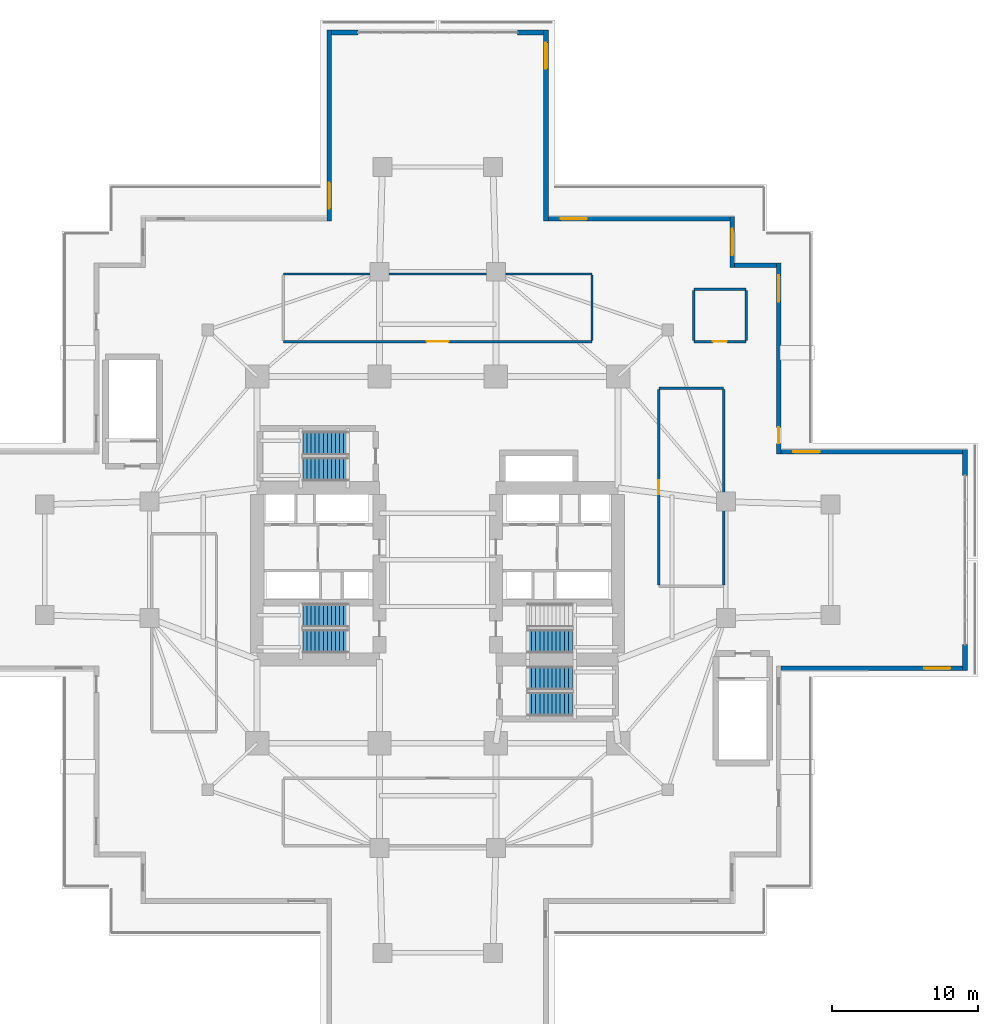
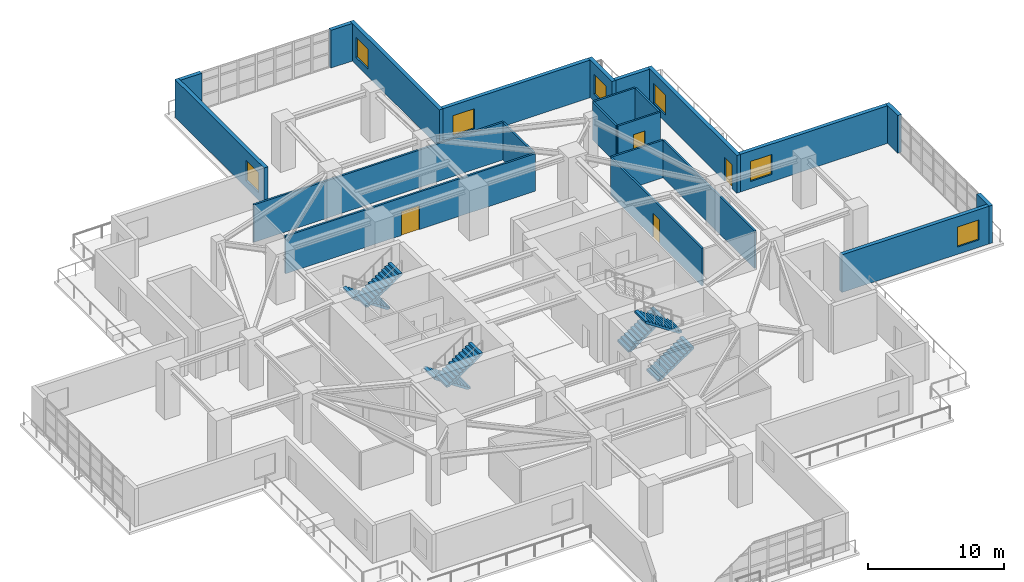
# One storey, part 17 of 24: 22 walls, 7 stair flights, 7 windows, 4 doors, 11 openings, 4 elements without a shape of their own.
"""IFC4 building model written with IfcOpenShell, lengths in metres."""

from ifc_helpers import new_model, si_unit, direction, frame, frame_2d, origin, place, context, subcontext, project, spatial, polyline, rectangle, outline, extrude, material, layer, layer_set, type_object, element, fill, aggregate, save


model = new_model("IFC4")

# Units and contexts
model_context = context("Model", 3, precision=1e-05, world=origin(), true_north=direction((0.0, 1.0)))
body_context = subcontext(model_context, "Body", "Model", "MODEL_VIEW")
ifc_project = project(units=[si_unit("LENGTHUNIT", "METRE"), si_unit("AREAUNIT", "SQUARE_METRE"), si_unit("VOLUMEUNIT", "CUBIC_METRE"), si_unit("PLANEANGLEUNIT", "RADIAN"), si_unit("MASSUNIT", "GRAM", prefix="KILO")], contexts=[model_context])

# Site, building, storey
site_placement = place(None, origin())
site = spatial("IfcSite", under=ifc_project, at=site_placement, CompositionType="ELEMENT")
building_placement = place(site_placement, origin())
building = spatial("IfcBuilding", under=site, at=building_placement, Name="Qingluan Cross Belvedere", CompositionType="ELEMENT")
storey_placement = place(building_placement, frame((0.0, 0.0, 19.199951171875)))
storey = spatial("IfcBuildingStorey", under=building, at=storey_placement, Name="L05", CompositionType="ELEMENT", Elevation=19.199951171875)

# Wall, opening, door
ifc_material_1 = material(Name="Gypsum plasterboard on steel stud acoustic partition", Category="steel")
ifc_layer_1 = layer(ifc_material_1, 0.159912109375, Name="CorridorPartition_160")
ifc_layer_set_1 = layer_set([ifc_layer_1], Name="Gypsum plasterboard on steel stud acoustic partition")
wall_type_1 = type_object("IfcWallType", Name="CorridorPartition_160", PredefinedType="PARTITIONING", material=ifc_layer_set_1)
wall_1_placement = place(storey_placement, frame((-10.60009765625, 15.0, 0.0), z_axis=(0.0, 0.0, 1.0), x_axis=(1.0, 0.0, 0.0)))
wall_1 = element("IfcWall", 1, at=wall_1_placement, inside=storey, type_object=wall_type_1, Name="Partition L05:pod_n:S", PredefinedType="PARTITIONING", context=body_context, shape_type="SweptSolid", body=[
    extrude(rectangle(XDim=21.2001953125, YDim=0.159912109375, at=frame_2d((10.60009765625, 0.0))), origin(), (0.0, 0.0, 1.0), 3.3701171875),
])
opening_1_placement = place(wall_1_placement, frame((9.85009765625, 0.0, 0.0)))
opening_1 = element("IfcOpeningElement", 2, at=opening_1_placement, cuts=wall_1, Name="Opening FD-A15", PredefinedType="OPENING", context=body_context, shape_type="SweptSolid", body=[
    extrude(rectangle(XDim=1.5, YDim=2.14990234375, at=frame_2d((0.75, 1.074951171875))), frame((0.0, 0.08984375, 0.0), z_axis=(0.0, -1.0, 0.0), x_axis=(1.0, 0.0, 0.0)), (0.0, 0.0, 1.0), 0.179931640625),
])
ifc_material_2 = material(Name="Insulated steel Class A double fire door", Category="steel")
door_type_1 = type_object("IfcDoorType", Name="PlantDoubleFireDoor_FDA", OperationType="DOUBLE_DOOR_SINGLE_SWING", PredefinedType="DOOR", material=ifc_material_2)
door_1_placement = place(opening_1_placement, origin())
door_1 = element("IfcDoor", 3, at=door_1_placement, inside=storey, type_object=door_type_1, Name="Hotel fitness gymnasium North L05 door", OperationType="DOUBLE_DOOR_SINGLE_SWING", OverallHeight=2.14990234375, OverallWidth=1.5, PredefinedType="DOOR", context=body_context, shape_type="SweptSolid", body=[
    extrude(rectangle(XDim=1.5, YDim=2.14990234375, at=frame_2d((0.75, 1.074951171875))), frame((0.0, 0.02490234375, 0.0), z_axis=(0.0, -1.0, 0.0), x_axis=(1.0, 0.0, 0.0)), (0.0, 0.0, 1.0), 0.050048828125),
])
fill(opening_1, door_1)

# Walls
wall_2_placement = place(storey_placement, frame((-10.60009765625, 19.64990234375, 0.0), z_axis=(0.0, 0.0, 1.0), x_axis=(1.0, 0.0, 0.0)))
element("IfcWall", 4, at=wall_2_placement, inside=storey, type_object=wall_type_1, Name="Partition L05:pod_n:N", PredefinedType="PARTITIONING", context=body_context, shape_type="SweptSolid", body=[
    extrude(rectangle(XDim=21.2001953125, YDim=0.159912109375, at=frame_2d((10.60009765625, 0.0))), origin(), (0.0, 0.0, 1.0), 3.3701171875),
])
wall_3_placement = place(storey_placement, frame((10.60009765625, 15.0849609375, 0.0), z_axis=(0.0, 0.0, 1.0), x_axis=(0.0, 1.0, 0.0)))
element("IfcWall", 5, at=wall_3_placement, inside=storey, type_object=wall_type_1, Name="Partition L05:pod_n:E", PredefinedType="PARTITIONING", context=body_context, shape_type="SweptSolid", body=[
    extrude(rectangle(XDim=4.47998046875, YDim=0.159912109375, at=frame_2d((2.239990234375, 0.0))), origin(), (0.0, 0.0, 1.0), 3.3701171875),
])
wall_4_placement = place(storey_placement, frame((15.199951171875, 11.800048828125, 0.0), z_axis=(0.0, 0.0, 1.0), x_axis=(1.0, 0.0, 0.0)))
element("IfcWall", 6, at=wall_4_placement, inside=storey, type_object=wall_type_1, Name="Partition L05:pod_e:N", PredefinedType="PARTITIONING", context=body_context, shape_type="SweptSolid", body=[
    extrude(rectangle(XDim=4.449951171875, YDim=0.159912109375, at=frame_2d((2.22509765625, 0.0))), origin(), (0.0, 0.0, 1.0), 3.3701171875),
])

# Wall, opening, door
wall_5_placement = place(storey_placement, frame((15.199951171875, -1.715087890625, 0.0), z_axis=(0.0, 0.0, 1.0), x_axis=(0.0, 1.0, 0.0)))
wall_5 = element("IfcWall", 7, at=wall_5_placement, inside=storey, type_object=wall_type_1, Name="Partition L05:pod_e:W", PredefinedType="PARTITIONING", context=body_context, shape_type="SweptSolid", body=[
    extrude(rectangle(XDim=13.43017578125, YDim=0.159912109375, at=frame_2d((6.715087890625, 0.0))), origin(), (0.0, 0.0, 1.0), 3.3701171875),
])
opening_2_placement = place(wall_5_placement, frame((6.235107421875, 0.0, 0.0)))
opening_2 = element("IfcOpeningElement", 8, at=opening_2_placement, cuts=wall_5, Name="Opening GD-10", PredefinedType="OPENING", context=body_context, shape_type="SweptSolid", body=[
    extrude(rectangle(XDim=0.9599609375, YDim=2.14990234375, at=frame_2d((0.47998046875, 1.074951171875))), frame((0.0, 0.08984375, 0.0), z_axis=(0.0, -1.0, 0.0), x_axis=(1.0, 0.0, 0.0)), (0.0, 0.0, 1.0), 0.179931640625),
])
ifc_material_3 = material(Name="Timber oak fire-rated acoustic guestroom door", Category="wood")
door_type_2 = type_object("IfcDoorType", Name="GuestEntryDoor_FD60", OperationType="NOTDEFINED", PredefinedType="DOOR", material=ifc_material_3)
door_2_placement = place(opening_2_placement, origin())
door_2 = element("IfcDoor", 9, at=door_2_placement, inside=storey, type_object=door_type_2, Name="Yoga and movement studio East L05 door", OperationType="SINGLE_SWING_RIGHT", OverallHeight=2.14990234375, OverallWidth=0.9599609375, PredefinedType="DOOR", context=body_context, shape_type="SweptSolid", body=[
    extrude(rectangle(XDim=0.9599609375, YDim=2.14990234375, at=frame_2d((0.47998046875, 1.074951171875))), frame((0.0, 0.02490234375, 0.0), z_axis=(0.0, -1.0, 0.0), x_axis=(1.0, 0.0, 0.0)), (0.0, 0.0, 1.0), 0.050048828125),
])
fill(opening_2, door_2)

# Wall
wall_6_placement = place(storey_placement, frame((19.64990234375, -1.715087890625, 0.0), z_axis=(0.0, 0.0, 1.0), x_axis=(0.0, 1.0, 0.0)))
element("IfcWall", 10, at=wall_6_placement, inside=storey, type_object=wall_type_1, Name="Partition L05:pod_e:E", PredefinedType="PARTITIONING", context=body_context, shape_type="SweptSolid", body=[
    extrude(rectangle(XDim=13.43017578125, YDim=0.159912109375, at=frame_2d((6.715087890625, 0.0))), origin(), (0.0, 0.0, 1.0), 3.3701171875),
])

# Wall, opening, door
wall_7_placement = place(storey_placement, frame((17.60009765625, 15.0, 0.0), z_axis=(0.0, 0.0, 1.0), x_axis=(1.0, 0.0, 0.0)))
wall_7 = element("IfcWall", 11, at=wall_7_placement, inside=storey, type_object=wall_type_1, Name="Partition L05:pod_wc:S", PredefinedType="PARTITIONING", context=body_context, shape_type="SweptSolid", body=[
    extrude(rectangle(XDim=3.599853515625, YDim=0.159912109375, at=frame_2d((1.7998046875, 0.0))), origin(), (0.0, 0.0, 1.0), 3.3701171875),
])
opening_3_placement = place(wall_7_placement, frame((1.320068359375, 0.0, 0.0)))
opening_3 = element("IfcOpeningElement", 12, at=opening_3_placement, cuts=wall_7, Name="Opening GD-10", PredefinedType="OPENING", context=body_context, shape_type="SweptSolid", body=[
    extrude(rectangle(XDim=0.9599609375, YDim=2.14990234375, at=frame_2d((0.47998046875, 1.074951171875))), frame((0.0, 0.08984375, 0.0), z_axis=(0.0, -1.0, 0.0), x_axis=(1.0, 0.0, 0.0)), (0.0, 0.0, 1.0), 0.179931640625),
])
door_3_placement = place(opening_3_placement, origin())
door_3 = element("IfcDoor", 13, at=door_3_placement, inside=storey, type_object=door_type_2, Name="Public washrooms L05 door", OperationType="SINGLE_SWING_RIGHT", OverallHeight=2.14990234375, OverallWidth=0.9599609375, PredefinedType="DOOR", context=body_context, shape_type="SweptSolid", body=[
    extrude(rectangle(XDim=0.9599609375, YDim=2.14990234375, at=frame_2d((0.47998046875, 1.074951171875))), frame((0.0, 0.02490234375, 0.0), z_axis=(0.0, -1.0, 0.0), x_axis=(1.0, 0.0, 0.0)), (0.0, 0.0, 1.0), 0.050048828125),
])
fill(opening_3, door_3)

# Walls
wall_8_placement = place(storey_placement, frame((17.60009765625, 18.60009765625, 0.0), z_axis=(0.0, 0.0, 1.0), x_axis=(1.0, 0.0, 0.0)))
element("IfcWall", 14, at=wall_8_placement, inside=storey, type_object=wall_type_1, Name="Partition L05:pod_wc:N", PredefinedType="PARTITIONING", context=body_context, shape_type="SweptSolid", body=[
    extrude(rectangle(XDim=3.599853515625, YDim=0.159912109375, at=frame_2d((1.7998046875, 0.0))), origin(), (0.0, 0.0, 1.0), 3.3701171875),
])
for number, where, z_axis, x_axis, name in (
    (15, (17.60009765625, 15.0849609375, 0.0), (0.0, 0.0, 1.0), (0.0, 1.0, 0.0), "Partition L05:pod_wc:W"),
    (16, (21.199951171875, 15.0849609375, 0.0), (0.0, 0.0, 1.0), (0.0, 1.0, 0.0), "Partition L05:pod_wc:E"),
):
    element("IfcWall", number, at=place(storey_placement, frame(where, z_axis=z_axis, x_axis=x_axis)), inside=storey, type_object=wall_type_1, Name=name, PredefinedType="PARTITIONING", context=body_context, shape_type="SweptSolid", body=[
        extrude(rectangle(XDim=3.429931640625, YDim=0.159912109375, at=frame_2d((1.71484375, 0.0))), origin(), (0.0, 0.0, 1.0), 3.3701171875),
    ])

# Wall, opening, window
ifc_material_4 = material(Name="Precast concrete C45", Category="concrete")
ifc_layer_2 = layer(ifc_material_4, 0.320068359375, Name="PrecastPodiumWall_320")
ifc_layer_set_2 = layer_set([ifc_layer_2], Name="Precast concrete C45")
wall_type_2 = type_object("IfcWallType", Name="PrecastPodiumWall_320", PredefinedType="STANDARD", material=ifc_layer_set_2)
wall_9_placement = place(storey_placement, frame((-7.43994140625, 23.280029296875, 0.0), z_axis=(0.0, 0.0, 1.0), x_axis=(0.0, 1.0, 0.0)))
wall_9 = element("IfcWall", 17, at=wall_9_placement, inside=storey, type_object=wall_type_2, Name="Podium precast facade wall L05-S18", PredefinedType="STANDARD", context=body_context, shape_type="SweptSolid", body=[
    extrude(rectangle(XDim=13.119873046875, YDim=0.320068359375, at=frame_2d((6.56005859375, 0.0))), origin(), (0.0, 0.0, 1.0), 3.380126953125),
])
opening_4_placement = place(wall_9_placement, frame((0.85009765625, 0.0, 0.64990234375)))
opening_4 = element("IfcOpeningElement", 18, at=opening_4_placement, cuts=wall_9, Name="Opening W-06", PredefinedType="OPENING", context=body_context, shape_type="SweptSolid", body=[
    extrude(rectangle(XDim=1.800048828125, YDim=1.800048828125, at=frame_2d((0.89990234375, 0.89990234375))), frame((0.0, 0.169921875, 0.0), z_axis=(0.0, -1.0, 0.0), x_axis=(1.0, 0.0, 0.0)), (0.0, 0.0, 1.0), 0.340087890625),
])
ifc_material_5 = material(Name="Thermally broken triple Low-E glass in aluminium frame", Category="aluminium")
window_type = type_object("IfcWindowType", Name="PodiumGalleryWin_1800x1800", PartitioningType="SINGLE_PANEL", PredefinedType="WINDOW", material=ifc_material_5)
window_1_placement = place(opening_4_placement, origin())
window_1 = element("IfcWindow", 19, at=window_1_placement, inside=storey, type_object=window_type, Name="Podium gallery window L05-S18", OverallHeight=1.800048828125, OverallWidth=1.800048828125, PartitioningType="SINGLE_PANEL", PredefinedType="WINDOW", context=body_context, shape_type="SweptSolid", body=[
    extrude(rectangle(XDim=1.800048828125, YDim=1.800048828125, at=frame_2d((0.89990234375, 0.89990234375))), frame((0.0, 0.030029296875, 0.0), z_axis=(0.0, -1.0, 0.0), x_axis=(1.0, 0.0, 0.0)), (0.0, 0.0, 1.0), 0.06005859375),
])
fill(opening_4, window_1)

# Walls
for number, where, z_axis, x_axis, name in (
    (20, (-7.280029296875, 36.239990234375, 0.0), (0.0, 0.0, 1.0), (1.0, 0.0, 0.0), "Podium portal pier L05-P3JA"),
    (21, (5.47998046875, 36.239990234375, 0.0), (0.0, 0.0, 1.0), (1.0, 0.0, 0.0), "Podium portal pier L05-P3JB"),
):
    element("IfcWall", number, at=place(storey_placement, frame(where, z_axis=z_axis, x_axis=x_axis)), inside=storey, type_object=wall_type_2, Name=name, PredefinedType="STANDARD", context=body_context, shape_type="SweptSolid", body=[
        extrude(rectangle(XDim=1.800048828125, YDim=0.320068359375, at=frame_2d((0.89990234375, 0.0))), origin(), (0.0, 0.0, 1.0), 3.380126953125),
    ])

# Wall, opening, window
wall_10_placement = place(storey_placement, frame((7.43994140625, 36.39990234375, 0.0), z_axis=(0.0, 0.0, 1.0), x_axis=(0.0, -1.0, 0.0)))
wall_10 = element("IfcWall", 22, at=wall_10_placement, inside=storey, type_object=wall_type_2, Name="Podium precast facade wall L05-S21", PredefinedType="STANDARD", context=body_context, shape_type="SweptSolid", body=[
    extrude(rectangle(XDim=13.119873046875, YDim=0.320068359375, at=frame_2d((6.56005859375, 0.0))), origin(), (0.0, 0.0, 1.0), 3.380126953125),
])
opening_5_placement = place(wall_10_placement, frame((0.85009765625, 0.0, 0.64990234375)))
opening_5 = element("IfcOpeningElement", 23, at=opening_5_placement, cuts=wall_10, Name="Opening W-06", PredefinedType="OPENING", context=body_context, shape_type="SweptSolid", body=[
    extrude(rectangle(XDim=1.800048828125, YDim=1.800048828125, at=frame_2d((0.89990234375, 0.89990234375))), frame((0.0, 0.169921875, 0.0), z_axis=(0.0, -1.0, 0.0), x_axis=(1.0, 0.0, 0.0)), (0.0, 0.0, 1.0), 0.340087890625),
])
window_2_placement = place(opening_5_placement, origin())
window_2 = element("IfcWindow", 24, at=window_2_placement, inside=storey, type_object=window_type, Name="Podium gallery window L05-S21", OverallHeight=1.800048828125, OverallWidth=1.800048828125, PartitioningType="SINGLE_PANEL", PredefinedType="WINDOW", context=body_context, shape_type="SweptSolid", body=[
    extrude(rectangle(XDim=1.800048828125, YDim=1.800048828125, at=frame_2d((0.89990234375, 0.89990234375))), frame((0.0, 0.030029296875, 0.0), z_axis=(0.0, -1.0, 0.0), x_axis=(1.0, 0.0, 0.0)), (0.0, 0.0, 1.0), 0.06005859375),
])
fill(opening_5, window_2)

wall_11_placement = place(storey_placement, frame((7.60009765625, 23.43994140625, 0.0), z_axis=(0.0, 0.0, 1.0), x_axis=(1.0, 0.0, 0.0)))
wall_11 = element("IfcWall", 25, at=wall_11_placement, inside=storey, type_object=wall_type_2, Name="Podium precast facade wall L05-S22", PredefinedType="STANDARD", context=body_context, shape_type="SweptSolid", body=[
    extrude(rectangle(XDim=12.47998046875, YDim=0.320068359375, at=frame_2d((6.239990234375, 0.0))), origin(), (0.0, 0.0, 1.0), 3.380126953125),
])
opening_6_placement = place(wall_11_placement, frame((0.85009765625, 0.0, 0.64990234375)))
opening_6 = element("IfcOpeningElement", 26, at=opening_6_placement, cuts=wall_11, Name="Opening W-06", PredefinedType="OPENING", context=body_context, shape_type="SweptSolid", body=[
    extrude(rectangle(XDim=1.800048828125, YDim=1.800048828125, at=frame_2d((0.89990234375, 0.89990234375))), frame((0.0, 0.169921875, 0.0), z_axis=(0.0, -1.0, 0.0), x_axis=(1.0, 0.0, 0.0)), (0.0, 0.0, 1.0), 0.340087890625),
])
window_3_placement = place(opening_6_placement, origin())
window_3 = element("IfcWindow", 27, at=window_3_placement, inside=storey, type_object=window_type, Name="Podium gallery window L05-S22", OverallHeight=1.800048828125, OverallWidth=1.800048828125, PartitioningType="SINGLE_PANEL", PredefinedType="WINDOW", context=body_context, shape_type="SweptSolid", body=[
    extrude(rectangle(XDim=1.800048828125, YDim=1.800048828125, at=frame_2d((0.89990234375, 0.89990234375))), frame((0.0, 0.030029296875, 0.0), z_axis=(0.0, -1.0, 0.0), x_axis=(1.0, 0.0, 0.0)), (0.0, 0.0, 1.0), 0.06005859375),
])
fill(opening_6, window_3)

wall_12_placement = place(storey_placement, frame((20.239990234375, 23.60009765625, 0.0), z_axis=(0.0, 0.0, 1.0), x_axis=(0.0, -1.0, 0.0)))
wall_12 = element("IfcWall", 28, at=wall_12_placement, inside=storey, type_object=wall_type_2, Name="Podium precast facade wall L05-S23", PredefinedType="STANDARD", context=body_context, shape_type="SweptSolid", body=[
    extrude(rectangle(XDim=3.52001953125, YDim=0.320068359375, at=frame_2d((1.760009765625, 0.0))), origin(), (0.0, 0.0, 1.0), 3.380126953125),
])
opening_7_placement = place(wall_12_placement, frame((0.85009765625, 0.0, 0.64990234375)))
opening_7 = element("IfcOpeningElement", 29, at=opening_7_placement, cuts=wall_12, Name="Opening W-06", PredefinedType="OPENING", context=body_context, shape_type="SweptSolid", body=[
    extrude(rectangle(XDim=1.800048828125, YDim=1.800048828125, at=frame_2d((0.89990234375, 0.89990234375))), frame((0.0, 0.169921875, 0.0), z_axis=(0.0, -1.0, 0.0), x_axis=(1.0, 0.0, 0.0)), (0.0, 0.0, 1.0), 0.340087890625),
])
window_4_placement = place(opening_7_placement, origin())
window_4 = element("IfcWindow", 30, at=window_4_placement, inside=storey, type_object=window_type, Name="Podium gallery window L05-S23", OverallHeight=1.800048828125, OverallWidth=1.800048828125, PartitioningType="SINGLE_PANEL", PredefinedType="WINDOW", context=body_context, shape_type="SweptSolid", body=[
    extrude(rectangle(XDim=1.800048828125, YDim=1.800048828125, at=frame_2d((0.89990234375, 0.89990234375))), frame((0.0, 0.030029296875, 0.0), z_axis=(0.0, -1.0, 0.0), x_axis=(1.0, 0.0, 0.0)), (0.0, 0.0, 1.0), 0.06005859375),
])
fill(opening_7, window_4)

# Wall
wall_13_placement = place(storey_placement, frame((20.39990234375, 20.239990234375, 0.0), z_axis=(0.0, 0.0, 1.0), x_axis=(1.0, 0.0, 0.0)))
element("IfcWall", 31, at=wall_13_placement, inside=storey, type_object=wall_type_2, Name="Podium precast facade wall L05-S24", PredefinedType="STANDARD", context=body_context, shape_type="SweptSolid", body=[
    extrude(rectangle(XDim=2.880126953125, YDim=0.320068359375, at=frame_2d((1.43994140625, 0.0))), origin(), (0.0, 0.0, 1.0), 3.380126953125),
])

# Wall, openings, window, door
wall_14_placement = place(storey_placement, frame((23.43994140625, 20.39990234375, 0.0), z_axis=(0.0, 0.0, 1.0), x_axis=(0.0, -1.0, 0.0)))
wall_14 = element("IfcWall", 32, at=wall_14_placement, inside=storey, type_object=wall_type_2, Name="Podium precast facade wall L05-S25", PredefinedType="STANDARD", context=body_context, shape_type="SweptSolid", body=[
    extrude(rectangle(XDim=13.119873046875, YDim=0.320068359375, at=frame_2d((6.56005859375, 0.0))), origin(), (0.0, 0.0, 1.0), 3.380126953125),
])
opening_8_placement = place(wall_14_placement, frame((0.85009765625, 0.0, 0.64990234375)))
opening_8 = element("IfcOpeningElement", 33, at=opening_8_placement, cuts=wall_14, Name="Opening W-06", PredefinedType="OPENING", context=body_context, shape_type="SweptSolid", body=[
    extrude(rectangle(XDim=1.800048828125, YDim=1.800048828125, at=frame_2d((0.89990234375, 0.89990234375))), frame((0.0, 0.169921875, 0.0), z_axis=(0.0, -1.0, 0.0), x_axis=(1.0, 0.0, 0.0)), (0.0, 0.0, 1.0), 0.340087890625),
])
opening_9_placement = place(wall_14_placement, frame((11.300048828125, 0.0, 0.0)))
opening_9 = element("IfcOpeningElement", 34, at=opening_9_placement, cuts=wall_14, Name="Opening TD-11", PredefinedType="OPENING", context=body_context, shape_type="SweptSolid", body=[
    extrude(rectangle(XDim=1.10009765625, YDim=2.14990234375, at=frame_2d((0.550048828125, 1.074951171875))), frame((0.0, 0.169921875, 0.0), z_axis=(0.0, -1.0, 0.0), x_axis=(1.0, 0.0, 0.0)), (0.0, 0.0, 1.0), 0.340087890625),
])
window_5_placement = place(opening_8_placement, origin())
window_5 = element("IfcWindow", 35, at=window_5_placement, inside=storey, type_object=window_type, Name="Podium gallery window L05-S25", OverallHeight=1.800048828125, OverallWidth=1.800048828125, PartitioningType="SINGLE_PANEL", PredefinedType="WINDOW", context=body_context, shape_type="SweptSolid", body=[
    extrude(rectangle(XDim=1.800048828125, YDim=1.800048828125, at=frame_2d((0.89990234375, 0.89990234375))), frame((0.0, 0.030029296875, 0.0), z_axis=(0.0, -1.0, 0.0), x_axis=(1.0, 0.0, 0.0)), (0.0, 0.0, 1.0), 0.06005859375),
])
fill(opening_8, window_5)
ifc_material_6 = material(Name="Thermally broken aluminium and Low-E glass", Category="aluminium")
door_type_3 = type_object("IfcDoorType", Name="TerraceGlazedDoor_1100", OperationType="NOTDEFINED", PredefinedType="DOOR", material=ifc_material_6)
door_4_placement = place(opening_9_placement, origin())
door_4 = element("IfcDoor", 36, at=door_4_placement, inside=storey, type_object=door_type_3, Name="Cascade terrace door L05-1", OperationType="SINGLE_SWING_RIGHT", OverallHeight=2.14990234375, OverallWidth=1.10009765625, PredefinedType="DOOR", context=body_context, shape_type="SweptSolid", body=[
    extrude(rectangle(XDim=1.10009765625, YDim=2.14990234375, at=frame_2d((0.550048828125, 1.074951171875))), frame((0.0, 0.02490234375, 0.0), z_axis=(0.0, -1.0, 0.0), x_axis=(1.0, 0.0, 0.0)), (0.0, 0.0, 1.0), 0.050048828125),
])
fill(opening_9, door_4)

# Wall, opening, window
wall_15_placement = place(storey_placement, frame((23.60009765625, 7.43994140625, 0.0), z_axis=(0.0, 0.0, 1.0), x_axis=(1.0, 0.0, 0.0)))
wall_15 = element("IfcWall", 37, at=wall_15_placement, inside=storey, type_object=wall_type_2, Name="Podium precast facade wall L05-S26", PredefinedType="STANDARD", context=body_context, shape_type="SweptSolid", body=[
    extrude(rectangle(XDim=12.47998046875, YDim=0.320068359375, at=frame_2d((6.239990234375, 0.0))), origin(), (0.0, 0.0, 1.0), 3.380126953125),
])
opening_10_placement = place(wall_15_placement, frame((0.85009765625, 0.0, 0.64990234375)))
opening_10 = element("IfcOpeningElement", 38, at=opening_10_placement, cuts=wall_15, Name="Opening W-06", PredefinedType="OPENING", context=body_context, shape_type="SweptSolid", body=[
    extrude(rectangle(XDim=1.800048828125, YDim=1.800048828125, at=frame_2d((0.89990234375, 0.89990234375))), frame((0.0, 0.169921875, 0.0), z_axis=(0.0, -1.0, 0.0), x_axis=(1.0, 0.0, 0.0)), (0.0, 0.0, 1.0), 0.340087890625),
])
window_6_placement = place(opening_10_placement, origin())
window_6 = element("IfcWindow", 39, at=window_6_placement, inside=storey, type_object=window_type, Name="Podium gallery window L05-S26", OverallHeight=1.800048828125, OverallWidth=1.800048828125, PartitioningType="SINGLE_PANEL", PredefinedType="WINDOW", context=body_context, shape_type="SweptSolid", body=[
    extrude(rectangle(XDim=1.800048828125, YDim=1.800048828125, at=frame_2d((0.89990234375, 0.89990234375))), frame((0.0, 0.030029296875, 0.0), z_axis=(0.0, -1.0, 0.0), x_axis=(1.0, 0.0, 0.0)), (0.0, 0.0, 1.0), 0.06005859375),
])
fill(opening_10, window_6)

# Walls
for number, where, z_axis, x_axis, name in (
    (40, (36.239990234375, 7.60009765625, 0.0), (0.0, 0.0, 1.0), (0.0, -1.0, 0.0), "Podium portal pier L05-P4JA"),
    (41, (36.239990234375, -5.800048828125, 0.0), (0.0, 0.0, 1.0), (0.0, -1.0, 0.0), "Podium portal pier L05-P4JB"),
):
    element("IfcWall", number, at=place(storey_placement, frame(where, z_axis=z_axis, x_axis=x_axis)), inside=storey, type_object=wall_type_2, Name=name, PredefinedType="STANDARD", context=body_context, shape_type="SweptSolid", body=[
        extrude(rectangle(XDim=1.800048828125, YDim=0.320068359375, at=frame_2d((0.89990234375, 0.0))), origin(), (0.0, 0.0, 1.0), 3.380126953125),
    ])

# Wall, opening, window
wall_16_placement = place(storey_placement, frame((36.080078125, -7.43994140625, 0.0), z_axis=(0.0, 0.0, 1.0), x_axis=(-1.0, 0.0, 0.0)))
wall_16 = element("IfcWall", 42, at=wall_16_placement, inside=storey, type_object=wall_type_2, Name="Podium precast facade wall L05-S29", PredefinedType="STANDARD", context=body_context, shape_type="SweptSolid", body=[
    extrude(rectangle(XDim=12.47998046875, YDim=0.320068359375, at=frame_2d((6.239990234375, 0.0))), origin(), (0.0, 0.0, 1.0), 3.380126953125),
])
opening_11_placement = place(wall_16_placement, frame((0.85009765625, 0.0, 0.64990234375)))
opening_11 = element("IfcOpeningElement", 43, at=opening_11_placement, cuts=wall_16, Name="Opening W-06", PredefinedType="OPENING", context=body_context, shape_type="SweptSolid", body=[
    extrude(rectangle(XDim=1.800048828125, YDim=1.800048828125, at=frame_2d((0.89990234375, 0.89990234375))), frame((0.0, 0.169921875, 0.0), z_axis=(0.0, -1.0, 0.0), x_axis=(1.0, 0.0, 0.0)), (0.0, 0.0, 1.0), 0.340087890625),
])
window_7_placement = place(opening_11_placement, origin())
window_7 = element("IfcWindow", 44, at=window_7_placement, inside=storey, type_object=window_type, Name="Podium gallery window L05-S29", OverallHeight=1.800048828125, OverallWidth=1.800048828125, PartitioningType="SINGLE_PANEL", PredefinedType="WINDOW", context=body_context, shape_type="SweptSolid", body=[
    extrude(rectangle(XDim=1.800048828125, YDim=1.800048828125, at=frame_2d((0.89990234375, 0.89990234375))), frame((0.0, 0.030029296875, 0.0), z_axis=(0.0, -1.0, 0.0), x_axis=(1.0, 0.0, 0.0)), (0.0, 0.0, 1.0), 0.06005859375),
])
fill(opening_11, window_7)

# Stair, stair flights
ifc_material_7 = material(Name="Concrete C40", Category="concrete")
stair_type = type_object("IfcStairType", Name="CoreDoglegStair_1620", PredefinedType="HALF_TURN_STAIR", material=ifc_material_7)
stair_1_placement = place(storey_placement, origin())
stair_1 = element("IfcStair", 45, at=stair_1_placement, inside=storey, type_object=stair_type, Name="L05 ST1", PredefinedType="HALF_TURN_STAIR")
ifc_material_8 = material(Name="Concrete C40", Category="concrete")
ifc_layer_3 = layer(ifc_material_8, 0.179931640625, Name="StairFlight_RC180")
ifc_layer_set_3 = layer_set([ifc_layer_3], Name="Concrete C40")
stair_flight_type = type_object("IfcStairFlightType", Name="StairFlight_RC180", PredefinedType="STRAIGHT", material=ifc_layer_set_3)
stair_flight_1_placement = place(storey_placement, frame((-6.179931640625, -3.81005859375, 0.0), z_axis=(0.0, 0.0, 1.0), x_axis=(-1.0, 0.0, 0.0)))
stair_flight_1 = element("IfcStairFlight", 46, at=stair_flight_1_placement, type_object=stair_flight_type, Name="ST1 flight 1", NumberOfRisers=12, NumberOfTreads=11, PredefinedType="STRAIGHT", RiserHeight=0.1875, TreadLength=0.28, context=body_context, shape_type="SweptSolid", body=[
    extrude(outline(polyline([(0.0, 0.0), (0.0, 0.1875), (0.280029296875, 0.1875), (0.280029296875, 0.375), (0.56005859375, 0.375), (0.56005859375, 0.5625), (0.840087890625, 0.5625), (0.840087890625, 0.75), (1.1201171875, 0.75), (1.1201171875, 0.9375), (1.39990234375, 0.9375), (1.39990234375, 1.125), (1.679931640625, 1.125), (1.679931640625, 1.3125), (1.9599609375, 1.3125), (1.9599609375, 1.5), (2.239990234375, 1.5), (2.239990234375, 1.6875), (2.52001953125, 1.6875), (2.52001953125, 1.875), (2.800048828125, 1.875), (2.800048828125, 2.0625), (3.080078125, 2.0625), (3.080078125, 2.25), (3.080078125, 1.882080078125), (0.26953125, 0.0), (0.0, 0.0)])), frame((0.0, 0.81005859375, 0.0), z_axis=(0.0, -1.0, 0.0), x_axis=(1.0, 0.0, 0.0)), (0.0, 0.0, 1.0), 1.6201171875),
])
stair_flight_2_placement = place(storey_placement, frame((-9.260009765625, -5.590087890625, 2.25), z_axis=(0.0, 0.0, 1.0), x_axis=(1.0, 0.0, 0.0)))
stair_flight_2 = element("IfcStairFlight", 47, at=stair_flight_2_placement, type_object=stair_flight_type, Name="ST1 flight 2", NumberOfRisers=12, NumberOfTreads=11, PredefinedType="STRAIGHT", RiserHeight=0.1875, TreadLength=0.28, context=body_context, shape_type="SweptSolid", body=[
    extrude(outline(polyline([(0.0, 0.0), (0.0, 0.1875), (0.280029296875, 0.1875), (0.280029296875, 0.375), (0.56005859375, 0.375), (0.56005859375, 0.5625), (0.840087890625, 0.5625), (0.840087890625, 0.75), (1.1201171875, 0.75), (1.1201171875, 0.9375), (1.39990234375, 0.9375), (1.39990234375, 1.125), (1.679931640625, 1.125), (1.679931640625, 1.3125), (1.9599609375, 1.3125), (1.9599609375, 1.5), (2.239990234375, 1.5), (2.239990234375, 1.6875), (2.52001953125, 1.6875), (2.52001953125, 1.875), (2.800048828125, 1.875), (2.800048828125, 2.0625), (3.080078125, 2.0625), (3.080078125, 2.25), (3.080078125, 1.882080078125), (0.26953125, 0.0), (0.0, 0.0)])), frame((0.0, 0.81005859375, 0.0), z_axis=(0.0, -1.0, 0.0), x_axis=(1.0, 0.0, 0.0)), (0.0, 0.0, 1.0), 1.6201171875),
])
aggregate(stair_1, [stair_flight_1, stair_flight_2])

# Stair, stair flight
stair_2_placement = place(storey_placement, origin())
stair_2 = element("IfcStair", 48, at=stair_2_placement, inside=storey, type_object=stair_type, Name="L05 ST2", PredefinedType="HALF_TURN_STAIR")
stair_flight_3_placement = place(storey_placement, frame((6.179931640625, -5.590087890625, 0.0), z_axis=(0.0, 0.0, 1.0), x_axis=(1.0, 0.0, 0.0)))
stair_flight_3 = element("IfcStairFlight", 49, at=stair_flight_3_placement, type_object=stair_flight_type, Name="ST2 flight 1", NumberOfRisers=12, NumberOfTreads=11, PredefinedType="STRAIGHT", RiserHeight=0.1875, TreadLength=0.28, context=body_context, shape_type="SweptSolid", body=[
    extrude(outline(polyline([(0.0, 0.0), (0.0, 0.1875), (0.280029296875, 0.1875), (0.280029296875, 0.375), (0.56005859375, 0.375), (0.56005859375, 0.5625), (0.840087890625, 0.5625), (0.840087890625, 0.75), (1.1201171875, 0.75), (1.1201171875, 0.9375), (1.39990234375, 0.9375), (1.39990234375, 1.125), (1.679931640625, 1.125), (1.679931640625, 1.3125), (1.9599609375, 1.3125), (1.9599609375, 1.5), (2.239990234375, 1.5), (2.239990234375, 1.6875), (2.52001953125, 1.6875), (2.52001953125, 1.875), (2.800048828125, 1.875), (2.800048828125, 2.0625), (3.080078125, 2.0625), (3.080078125, 2.25), (3.080078125, 1.882080078125), (0.26953125, 0.0), (0.0, 0.0)])), frame((0.0, 0.81005859375, 0.0), z_axis=(0.0, -1.0, 0.0), x_axis=(1.0, 0.0, 0.0)), (0.0, 0.0, 1.0), 1.6201171875),
])
aggregate(stair_2, [stair_flight_3])

# Stair, stair flights
stair_3_placement = place(storey_placement, origin())
stair_3 = element("IfcStair", 50, at=stair_3_placement, inside=storey, type_object=stair_type, Name="L05 ST3", PredefinedType="HALF_TURN_STAIR")
stair_flight_4_placement = place(storey_placement, frame((-6.179931640625, 8.010009765625, 0.0), z_axis=(0.0, 0.0, 1.0), x_axis=(-1.0, 0.0, 0.0)))
stair_flight_4 = element("IfcStairFlight", 51, at=stair_flight_4_placement, type_object=stair_flight_type, Name="ST3 flight 1", NumberOfRisers=12, NumberOfTreads=11, PredefinedType="STRAIGHT", RiserHeight=0.1875, TreadLength=0.28, context=body_context, shape_type="SweptSolid", body=[
    extrude(outline(polyline([(0.0, 0.0), (0.0, 0.1875), (0.280029296875, 0.1875), (0.280029296875, 0.375), (0.56005859375, 0.375), (0.56005859375, 0.5625), (0.840087890625, 0.5625), (0.840087890625, 0.75), (1.1201171875, 0.75), (1.1201171875, 0.9375), (1.39990234375, 0.9375), (1.39990234375, 1.125), (1.679931640625, 1.125), (1.679931640625, 1.3125), (1.9599609375, 1.3125), (1.9599609375, 1.5), (2.239990234375, 1.5), (2.239990234375, 1.6875), (2.52001953125, 1.6875), (2.52001953125, 1.875), (2.800048828125, 1.875), (2.800048828125, 2.0625), (3.080078125, 2.0625), (3.080078125, 2.25), (3.080078125, 1.882080078125), (0.26953125, 0.0), (0.0, 0.0)])), frame((0.0, 0.81005859375, 0.0), z_axis=(0.0, -1.0, 0.0), x_axis=(1.0, 0.0, 0.0)), (0.0, 0.0, 1.0), 1.6201171875),
])
stair_flight_5_placement = place(storey_placement, frame((-9.260009765625, 6.22998046875, 2.25), z_axis=(0.0, 0.0, 1.0), x_axis=(1.0, 0.0, 0.0)))
stair_flight_5 = element("IfcStairFlight", 52, at=stair_flight_5_placement, type_object=stair_flight_type, Name="ST3 flight 2", NumberOfRisers=12, NumberOfTreads=11, PredefinedType="STRAIGHT", RiserHeight=0.1875, TreadLength=0.28, context=body_context, shape_type="SweptSolid", body=[
    extrude(outline(polyline([(0.0, 0.0), (0.0, 0.1875), (0.280029296875, 0.1875), (0.280029296875, 0.375), (0.56005859375, 0.375), (0.56005859375, 0.5625), (0.840087890625, 0.5625), (0.840087890625, 0.75), (1.1201171875, 0.75), (1.1201171875, 0.9375), (1.39990234375, 0.9375), (1.39990234375, 1.125), (1.679931640625, 1.125), (1.679931640625, 1.3125), (1.9599609375, 1.3125), (1.9599609375, 1.5), (2.239990234375, 1.5), (2.239990234375, 1.6875), (2.52001953125, 1.6875), (2.52001953125, 1.875), (2.800048828125, 1.875), (2.800048828125, 2.0625), (3.080078125, 2.0625), (3.080078125, 2.25), (3.080078125, 1.882080078125), (0.26953125, 0.0), (0.0, 0.0)])), frame((0.0, 0.81005859375, 0.0), z_axis=(0.0, -1.0, 0.0), x_axis=(1.0, 0.0, 0.0)), (0.0, 0.0, 1.0), 1.6201171875),
])
aggregate(stair_3, [stair_flight_4, stair_flight_5])

stair_4_placement = place(storey_placement, origin())
stair_4 = element("IfcStair", 53, at=stair_4_placement, inside=storey, type_object=stair_type, Name="L05 ST4", PredefinedType="HALF_TURN_STAIR")
stair_flight_6_placement = place(storey_placement, frame((6.179931640625, -9.909912109375, 0.0), z_axis=(0.0, 0.0, 1.0), x_axis=(1.0, 0.0, 0.0)))
stair_flight_6 = element("IfcStairFlight", 54, at=stair_flight_6_placement, type_object=stair_flight_type, Name="ST4 flight 1", NumberOfRisers=12, NumberOfTreads=11, PredefinedType="STRAIGHT", RiserHeight=0.1875, TreadLength=0.28, context=body_context, shape_type="SweptSolid", body=[
    extrude(outline(polyline([(0.0, 0.0), (0.0, 0.1875), (0.280029296875, 0.1875), (0.280029296875, 0.375), (0.56005859375, 0.375), (0.56005859375, 0.5625), (0.840087890625, 0.5625), (0.840087890625, 0.75), (1.1201171875, 0.75), (1.1201171875, 0.9375), (1.39990234375, 0.9375), (1.39990234375, 1.125), (1.679931640625, 1.125), (1.679931640625, 1.3125), (1.9599609375, 1.3125), (1.9599609375, 1.5), (2.239990234375, 1.5), (2.239990234375, 1.6875), (2.52001953125, 1.6875), (2.52001953125, 1.875), (2.800048828125, 1.875), (2.800048828125, 2.0625), (3.080078125, 2.0625), (3.080078125, 2.25), (3.080078125, 1.882080078125), (0.26953125, 0.0), (0.0, 0.0)])), frame((0.0, 0.81005859375, 0.0), z_axis=(0.0, -1.0, 0.0), x_axis=(1.0, 0.0, 0.0)), (0.0, 0.0, 1.0), 1.6201171875),
])
stair_flight_7_placement = place(storey_placement, frame((9.260009765625, -8.1298828125, 2.25), z_axis=(0.0, 0.0, 1.0), x_axis=(-1.0, 0.0, 0.0)))
stair_flight_7 = element("IfcStairFlight", 55, at=stair_flight_7_placement, type_object=stair_flight_type, Name="ST4 flight 2", NumberOfRisers=12, NumberOfTreads=11, PredefinedType="STRAIGHT", RiserHeight=0.1875, TreadLength=0.28, context=body_context, shape_type="SweptSolid", body=[
    extrude(outline(polyline([(0.0, 0.0), (0.0, 0.1875), (0.280029296875, 0.1875), (0.280029296875, 0.375), (0.56005859375, 0.375), (0.56005859375, 0.5625), (0.840087890625, 0.5625), (0.840087890625, 0.75), (1.1201171875, 0.75), (1.1201171875, 0.9375), (1.39990234375, 0.9375), (1.39990234375, 1.125), (1.679931640625, 1.125), (1.679931640625, 1.3125), (1.9599609375, 1.3125), (1.9599609375, 1.5), (2.239990234375, 1.5), (2.239990234375, 1.6875), (2.52001953125, 1.6875), (2.52001953125, 1.875), (2.800048828125, 1.875), (2.800048828125, 2.0625), (3.080078125, 2.0625), (3.080078125, 2.25), (3.080078125, 1.882080078125), (0.26953125, 0.0), (0.0, 0.0)])), frame((0.0, 0.81005859375, 0.0), z_axis=(0.0, -1.0, 0.0), x_axis=(1.0, 0.0, 0.0)), (0.0, 0.0, 1.0), 1.6201171875),
])
aggregate(stair_4, [stair_flight_6, stair_flight_7])

save(model, "model.ifc")
